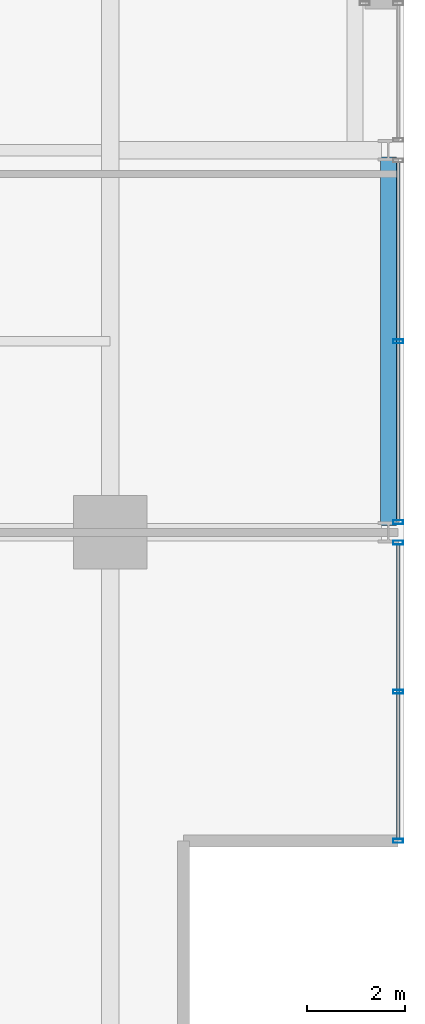
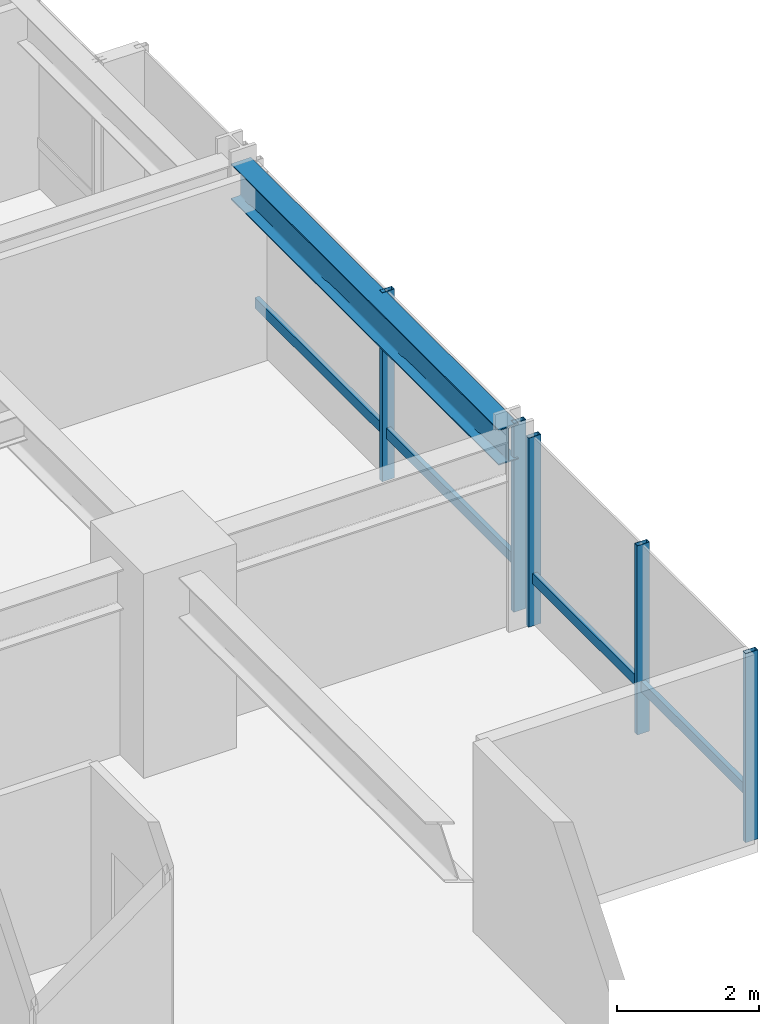
# One storey, part 13 of 35: 7 members, 1 beam, 2 elements without a shape of their own.
"""IFC4 building model written with IfcOpenShell, lengths in metres."""

import ifcopenshell
import ifcopenshell.guid

model = None  # the IFC model being written
_history = None  # IfcOwnerHistory: only IFC2X3 demands one
_inside = {}  # id of a spatial element -> (the spatial element, [elements in it])
_under = {}  # id of a project, library or spatial element -> (it, [spatial elements below it])
_declared = {}  # id of a project -> (the project, [libraries it declares])
_typed = {}  # id of a type object -> (the type object, [elements of that type])
_made_of = {}  # id of a material, layer set ... -> (it, [elements and type objects made of it])


def new_model(schema):
    """Start an empty IFC model of exactly this schema.

    Asked for "IFC4X3", IfcOpenShell would pick the latest addendum, in which some entities
    have other attributes; the version numbers below select the first issue.
    IFC2X3 requires an IfcOwnerHistory on every rooted entity: one is made here for all.
    """
    global model, _history
    if schema == "IFC4X3":
        model = ifcopenshell.file(schema_version=(4, 3, 0, 0))
    else:
        model = ifcopenshell.file(schema=schema)
    _inside.clear()
    _under.clear()
    _declared.clear()
    _typed.clear()
    _made_of.clear()
    _history = None
    if model.schema == "IFC2X3":
        org = make("IfcOrganization", Name="unknown")
        user = make(
            "IfcPersonAndOrganization",
            ThePerson=make("IfcPerson", FamilyName="unknown"),
            TheOrganization=org,
        )
        app = make(
            "IfcApplication",
            ApplicationDeveloper=org,
            Version="unknown",
            ApplicationFullName="unknown",
            ApplicationIdentifier="unknown",
        )
        _history = make(
            "IfcOwnerHistory",
            OwningUser=user,
            OwningApplication=app,
            ChangeAction="ADDED",
            CreationDate=0,
        )
    return model


def make(cls, **values):
    """One entity of the class cls with the attributes given. An attribute that is None is left unset."""
    return model.create_entity(
        cls, **{name: value for name, value in values.items() if value is not None}
    )


def rooted(cls, **values):
    """An entity with a GlobalId (a new one), such as an element, a storey or a relation."""
    return make(cls, GlobalId=ifcopenshell.guid.new(), OwnerHistory=_history, **values)


def si_unit(unit_type, name, prefix=None):
    """IfcSIUnit, for example si_unit("LENGTHUNIT", "METRE", prefix="MILLI")."""
    return make("IfcSIUnit", UnitType=unit_type, Prefix=prefix, Name=name)


def assignment(units):
    """IfcUnitAssignment: the units of a project."""
    return None if units is None else make("IfcUnitAssignment", Units=units)


def point(xyz):
    """IfcCartesianPoint."""
    return None if xyz is None else make("IfcCartesianPoint", Coordinates=xyz)


def direction(xyz):
    """IfcDirection."""
    return None if xyz is None else make("IfcDirection", DirectionRatios=xyz)


def frame(location, z_axis=None, x_axis=None):
    """IfcAxis2Placement3D, a coordinate frame: its origin and axes. An axis left out is left unset."""
    return make(
        "IfcAxis2Placement3D",
        Location=point(location),
        Axis=direction(z_axis),
        RefDirection=direction(x_axis),
    )


def frame_2d(location, x_axis=None):
    """IfcAxis2Placement2D, a coordinate frame in the plane: its origin and x axis."""
    return make(
        "IfcAxis2Placement2D", Location=point(location), RefDirection=direction(x_axis)
    )


def origin():
    """The frame at (0, 0, 0) with its axes left unset."""
    return frame((0.0, 0.0, 0.0))


def origin_2d():
    """The frame at (0, 0) in the plane with its x axis left unset."""
    return frame_2d((0.0, 0.0))


def place(relative_to, where):
    """IfcLocalPlacement: puts the frame where relative to a parent placement (None: the world)."""
    return make(
        "IfcLocalPlacement", PlacementRelTo=relative_to, RelativePlacement=where
    )


def context(
    kind, dimensions, precision=None, world=None, true_north=None, identifier=None
):
    """IfcGeometricRepresentationContext, for example the 3D "Model" context."""
    return make(
        "IfcGeometricRepresentationContext",
        ContextIdentifier=identifier,
        ContextType=kind,
        CoordinateSpaceDimension=dimensions,
        Precision=precision,
        WorldCoordinateSystem=world,
        TrueNorth=true_north,
    )


def subcontext(parent, identifier, kind, view, scale=None):
    """IfcGeometricRepresentationSubContext, for example "Body" below "Model"."""
    return make(
        "IfcGeometricRepresentationSubContext",
        ContextIdentifier=identifier,
        ContextType=kind,
        ParentContext=parent,
        TargetScale=scale,
        TargetView=view,
    )


def project(units=None, contexts=None):
    """IfcProject with its units and contexts."""
    return rooted(
        "IfcProject",
        Name="project",
        RepresentationContexts=contexts,
        UnitsInContext=assignment(units),
    )


def spatial(cls, under=None, at=None, **own):
    """A site, building, storey or space (cls), placed at a placement, below another one or the project."""
    s = rooted(cls, ObjectPlacement=at, **own)
    if under is not None:
        _under.setdefault(under.id(), (under, []))[1].append(s)
    return s


def profile(cls, at=None, kind="AREA", **sizes):
    """A parametric profile (cls). Its sizes go by their IFC names, for example OverallWidth=200.0."""
    return make(cls, ProfileType=kind, Position=at, **sizes)


def hollow_rectangle(**sizes):
    """IfcRectangleHollowProfileDef."""
    return profile("IfcRectangleHollowProfileDef", **sizes)


def i_section(**sizes):
    """IfcIShapeProfileDef."""
    return profile("IfcIShapeProfileDef", **sizes)


def extrude(swept, where, along, depth):
    """IfcExtrudedAreaSolid: the profile swept, set in the frame where, extruded along a direction by depth."""
    return make(
        "IfcExtrudedAreaSolid",
        SweptArea=swept,
        Position=where,
        ExtrudedDirection=direction(along),
        Depth=depth,
    )


def shape(context_of_items, identifier, shape_type, items):
    """IfcShapeRepresentation: the items that make up one representation, for example the "Body"."""
    return make(
        "IfcShapeRepresentation",
        ContextOfItems=context_of_items,
        RepresentationIdentifier=identifier,
        RepresentationType=shape_type,
        Items=items,
    )


def material(Name=None, Category=None):
    """IfcMaterial."""
    return make("IfcMaterial", Name=Name, Category=Category)


def layer(
    of_material, thickness, ventilated=None, Name=None, Category=None, Priority=None
):
    """IfcMaterialLayer: one layer of a wall or slab, of a material (None: an air gap)."""
    return make(
        "IfcMaterialLayer",
        Material=of_material,
        LayerThickness=thickness,
        IsVentilated=ventilated,
        Name=Name,
        Category=Category,
        Priority=Priority,
    )


def layer_set(layers, Name=None):
    """IfcMaterialLayerSet."""
    return make("IfcMaterialLayerSet", MaterialLayers=layers, LayerSetName=Name)


def material_profile(
    of_material, cross_section, Name=None, Category=None, Priority=None
):
    """IfcMaterialProfile: a cross section and its material."""
    return make(
        "IfcMaterialProfile",
        Name=Name,
        Material=of_material,
        Profile=cross_section,
        Priority=Priority,
        Category=Category,
    )


def profile_set(profiles, Name=None, composite=None):
    """IfcMaterialProfileSet."""
    return make(
        "IfcMaterialProfileSet",
        Name=Name,
        MaterialProfiles=profiles,
        CompositeProfile=composite,
    )


def made_of(thing, what):
    """Note that an element or type object is made of a material, layer set ...; save() writes the relation."""
    if what is not None:
        _made_of.setdefault(what.id(), (what, []))[1].append(thing)
    return thing


def type_object(cls, material=None, **own):
    """A type object (cls), such as IfcWallType, which elements share."""
    return made_of(rooted(cls, **own), material)


def element(
    cls,
    number,
    at=None,
    inside=None,
    cuts=None,
    type_object=None,
    material=None,
    context=None,
    identifier="Body",
    shape_type=None,
    held_by="IfcProductDefinitionShape",
    body=None,
    shapes=None,
    **own,
):
    """One element of the class cls, such as IfcWall. Its Tag is "e" and its number.

    at: its placement. inside: the storey or other place that contains it. cuts: it is an
    opening in that element (IfcRelVoidsElement). A single representation is given by context,
    identifier, shape_type and body (its items); several are given by shapes. held_by: the class
    of the entity that holds the representations. save() writes the other relations.
    """
    e = rooted(cls, Tag="e%d" % number, ObjectPlacement=at, **own)
    if body is not None:
        shapes = [shape(context, identifier, shape_type, body)]
    if shapes is not None:
        e.Representation = make(held_by, Representations=shapes)
    if inside is not None:
        _inside.setdefault(inside.id(), (inside, []))[1].append(e)
    if cuts is not None:
        rooted(
            "IfcRelVoidsElement", RelatingBuildingElement=cuts, RelatedOpeningElement=e
        )
    if type_object is not None:
        _typed.setdefault(type_object.id(), (type_object, []))[1].append(e)
    return made_of(e, material)


def aggregate(whole, parts):
    """IfcRelAggregates: a whole, such as a stair, and the parts it consists of."""
    return rooted("IfcRelAggregates", RelatingObject=whole, RelatedObjects=parts)


def save(model, path):
    """Write the relations noted so far, then the file.

    IfcRelAggregates (storeys below a building ...), IfcRelContainedInSpatialStructure (elements
    in a storey), IfcRelDefinesByType, IfcRelAssociatesMaterial and IfcRelDeclares: one each for
    every whole, place, type object, material and project.
    """
    for whole, parts in _under.values():
        aggregate(whole, parts)
    for where, things in _inside.values():
        rooted(
            "IfcRelContainedInSpatialStructure",
            RelatedElements=things,
            RelatingStructure=where,
        )
    for kind, things in _typed.values():
        rooted("IfcRelDefinesByType", RelatedObjects=things, RelatingType=kind)
    for what, things in _made_of.values():
        rooted("IfcRelAssociatesMaterial", RelatedObjects=things, RelatingMaterial=what)
    for by, libraries in _declared.values():
        rooted("IfcRelDeclares", RelatingContext=by, RelatedDefinitions=libraries)
    model.write(path)


model = new_model("IFC4")

# Units and contexts
model_context = context("Model", 3, precision=1e-05, world=origin(), true_north=direction((0.0, 1.0)))
body_context = subcontext(model_context, "Body", "Model", "MODEL_VIEW")
ifc_project = project(units=[si_unit("LENGTHUNIT", "METRE"), si_unit("AREAUNIT", "SQUARE_METRE"), si_unit("VOLUMEUNIT", "CUBIC_METRE"), si_unit("PLANEANGLEUNIT", "RADIAN"), si_unit("MASSUNIT", "GRAM", prefix="KILO")], contexts=[model_context])

# Site, building, storey
site_placement = place(None, origin())
site = spatial("IfcSite", under=ifc_project, at=site_placement, CompositionType="ELEMENT")
building_placement = place(site_placement, origin())
building = spatial("IfcBuilding", under=site, at=building_placement, Name="Drelvath Grand Hotel", CompositionType="ELEMENT")
storey_placement = place(building_placement, frame((0.0, 0.0, 123.300048828125)))
storey = spatial("IfcBuildingStorey", under=building, at=storey_placement, Name="L31", CompositionType="ELEMENT", Elevation=123.300048828125)

# Curtain wall, member
ifc_material_1 = material(Name="Champagne Bronze Anodised Aluminium Frame", Category="aluminium")
ifc_layer = layer(ifc_material_1, 0.199951171875)
ifc_layer_set = layer_set([ifc_layer], Name="Champagne Bronze Anodised Aluminium Frame")
curtain_wall_type = type_object("IfcCurtainWallType", Name="Stick Curtain Wall CW-03 Champagne Bronze Mid-Rise", PredefinedType="NOTDEFINED", material=ifc_layer_set)
curtain_wall_1_placement = place(storey_placement, origin())
curtain_wall_1 = element("IfcCurtainWall", 1, at=curtain_wall_1_placement, inside=storey, type_object=curtain_wall_type, Name="L31 CW-03 Curtain Wall CW03-L31-ES1", PredefinedType="NOTDEFINED")
ifc_material_profile_1 = material_profile(ifc_material_1, hollow_rectangle(XDim=0.074951171875, YDim=0.179931640625, WallThickness=0.0048828125, at=origin_2d()), Name="HSS180X75X5")
ifc_profile_set_1 = profile_set([ifc_material_profile_1], Name="Champagne Bronze Anodised Aluminium Frame")
member_type_1 = type_object("IfcMemberType", Name="Curtain Wall Horizontal Transom CW-03 HSS180X75X5", PredefinedType="USERDEFINED", material=ifc_profile_set_1)
member_1_placement = place(storey_placement, frame((22.080078125, 10.550537109375, 0.81005859375), z_axis=(0.0, -1.0, 0.0), x_axis=(1.0, 0.0, 0.0)))
member_1 = element("IfcMember", 2, at=member_1_placement, type_object=member_type_1, Name="CW03-L31-ES1 Sill Transom", ObjectType="TRANSOM", PredefinedType="USERDEFINED", context=body_context, shape_type="SweptSolid", body=[
    extrude(hollow_rectangle(XDim=0.074951171875, YDim=0.179931640625, WallThickness=0.0048828125, at=origin_2d()), origin(), (0.0, 0.0, 1.0), 6.010498046875),
])

curtain_wall_2_placement = place(storey_placement, origin())
curtain_wall_2 = element("IfcCurtainWall", 3, at=curtain_wall_2_placement, inside=storey, type_object=curtain_wall_type, Name="L31 CW-03 Curtain Wall CW03-L31-ES2", PredefinedType="NOTDEFINED")
member_2_placement = place(storey_placement, frame((22.080078125, 18.3505859375, 0.81005859375), z_axis=(0.0, -1.0, 0.0), x_axis=(1.0, 0.0, 0.0)))
member_2 = element("IfcMember", 4, at=member_2_placement, type_object=member_type_1, Name="CW03-L31-ES2 Sill Transom", ObjectType="TRANSOM", PredefinedType="USERDEFINED", context=body_context, shape_type="SweptSolid", body=[
    extrude(hollow_rectangle(XDim=0.074951171875, YDim=0.179931640625, WallThickness=0.0048828125, at=origin_2d()), origin(), (0.0, 0.0, 1.0), 7.30126953125),
])

# Member
ifc_material_profile_2 = material_profile(ifc_material_1, hollow_rectangle(XDim=0.080078125, YDim=0.199951171875, WallThickness=0.0048828125, at=origin_2d()), Name="HSS200X80X5")
ifc_profile_set_2 = profile_set([ifc_material_profile_2], Name="Champagne Bronze Anodised Aluminium Frame")
member_type_2 = type_object("IfcMemberType", Name="Curtain Wall Vertical Mullion CW-03 HSS200X80X5", PredefinedType="MULLION", material=ifc_profile_set_2)
member_3_placement = place(storey_placement, frame((22.080078125, 10.590576171875, 0.0), z_axis=(0.0, 0.0, 1.0), x_axis=(0.0, 1.0, 0.0)))
member_3 = element("IfcMember", 5, at=member_3_placement, type_object=member_type_2, Name="CW03-L31-ES1 Mullion 1", PredefinedType="MULLION", context=body_context, shape_type="SweptSolid", body=[
    extrude(hollow_rectangle(XDim=0.080078125, YDim=0.199951171875, WallThickness=0.0048828125, at=origin_2d()), origin(), (0.0, 0.0, 1.0), 3.239990234375),
])

member_4_placement = place(storey_placement, frame((22.080078125, 7.54541015625, 0.0), z_axis=(0.0, 0.0, 1.0), x_axis=(0.0, 1.0, 0.0)))
member_4 = element("IfcMember", 6, at=member_4_placement, type_object=member_type_2, Name="CW03-L31-ES1 Mullion 2", PredefinedType="MULLION", context=body_context, shape_type="SweptSolid", body=[
    extrude(hollow_rectangle(XDim=0.080078125, YDim=0.199951171875, WallThickness=0.0048828125, at=origin_2d()), origin(), (0.0, 0.0, 1.0), 3.239990234375),
])

member_5_placement = place(storey_placement, frame((22.080078125, 4.5, 0.0), z_axis=(0.0, 0.0, 1.0), x_axis=(0.0, 1.0, 0.0)))
member_5 = element("IfcMember", 7, at=member_5_placement, type_object=member_type_2, Name="CW03-L31-ES1 Mullion 3", PredefinedType="MULLION", context=body_context, shape_type="SweptSolid", body=[
    extrude(hollow_rectangle(XDim=0.080078125, YDim=0.199951171875, WallThickness=0.0048828125, at=origin_2d()), origin(), (0.0, 0.0, 1.0), 3.239990234375),
])

aggregate(curtain_wall_1, [member_3, member_4, member_5, member_1])

member_6_placement = place(storey_placement, frame((22.080078125, 14.699951171875, 0.0), z_axis=(0.0, 0.0, 1.0), x_axis=(0.0, 1.0, 0.0)))
member_6 = element("IfcMember", 8, at=member_6_placement, type_object=member_type_2, Name="CW03-L31-ES2 Mullion 2", PredefinedType="MULLION", context=body_context, shape_type="SweptSolid", body=[
    extrude(hollow_rectangle(XDim=0.080078125, YDim=0.199951171875, WallThickness=0.0048828125, at=origin_2d()), origin(), (0.0, 0.0, 1.0), 3.239990234375),
])

member_7_placement = place(storey_placement, frame((22.080078125, 11.009521484375, 0.0), z_axis=(0.0, 0.0, 1.0), x_axis=(0.0, 1.0, 0.0)))
member_7 = element("IfcMember", 9, at=member_7_placement, type_object=member_type_2, Name="CW03-L31-ES2 Mullion 3", PredefinedType="MULLION", context=body_context, shape_type="SweptSolid", body=[
    extrude(hollow_rectangle(XDim=0.080078125, YDim=0.199951171875, WallThickness=0.0048828125, at=origin_2d()), origin(), (0.0, 0.0, 1.0), 3.239990234375),
])

aggregate(curtain_wall_2, [member_6, member_7, member_2])

# Beam
ifc_material_2 = material(Name="Steel ASTM A992 Gr 50", Category="steel")
ifc_material_profile_3 = material_profile(ifc_material_2, i_section(OverallWidth=0.323974609375, OverallDepth=0.611083984375, WebThickness=0.0126953125, FlangeThickness=0.01904296875, FilletRadius=0.02197265625, at=origin_2d()), Name="W24X104")
ifc_profile_set_3 = profile_set([ifc_material_profile_3], Name="Steel ASTM A992 Gr 50")
beam_type = type_object("IfcBeamType", Name="Perimeter Spandrel Beam W24X104", PredefinedType="SPANDREL", material=ifc_profile_set_3)
beam_placement = place(storey_placement, frame((21.8798828125, 10.93994140625, 2.9345703125), z_axis=(0.0, 1.0, 0.0), x_axis=(-1.0, 0.0, 0.0)))
element("IfcBeam", 10, at=beam_placement, inside=storey, type_object=beam_type, Name="L31 Spandrel East S", PredefinedType="SPANDREL", context=body_context, shape_type="SweptSolid", body=[
    extrude(i_section(OverallWidth=0.323974609375, OverallDepth=0.611083984375, WebThickness=0.0126953125, FlangeThickness=0.01904296875, FilletRadius=0.02197265625, at=origin_2d()), origin(), (0.0, 0.0, 1.0), 7.52001953125),
])

save(model, "model.ifc")
